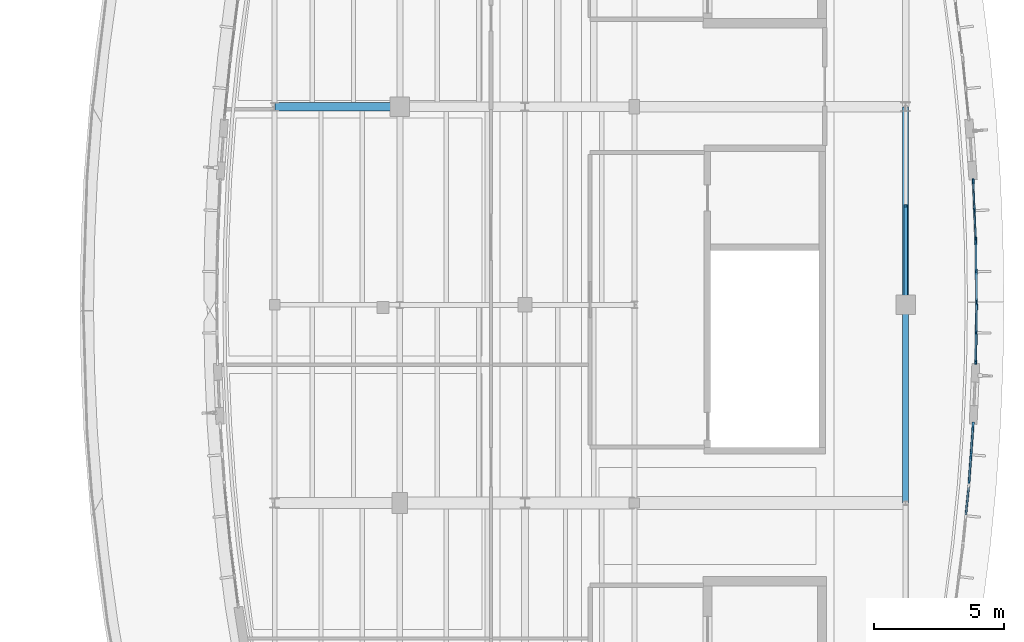
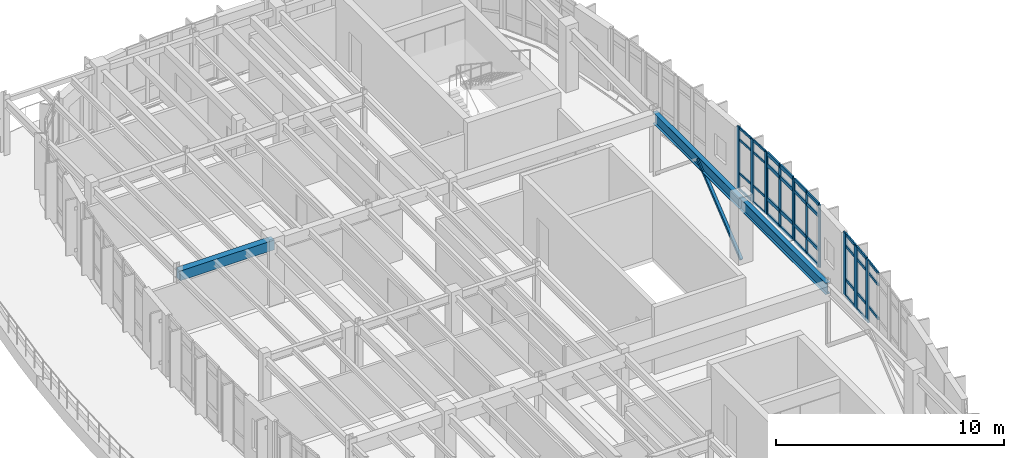
# One storey, part 11 of 30: 48 members, 3 beams, 5 elements without a shape of their own.
"""IFC4 building model written with IfcOpenShell, lengths in metres."""

from ifc_helpers import new_model, si_unit, direction, frame, origin, origin_2d, place, context, subcontext, project, spatial, rectangle, hollow_rectangle, i_section, extrude, material, material_profile, profile_set, type_object, element, aggregate, save


model = new_model("IFC4")

# Units and contexts
model_context = context("Model", 3, precision=1e-05, world=origin(), true_north=direction((0.0, 1.0)))
body_context = subcontext(model_context, "Body", "Model", "MODEL_VIEW")
ifc_project = project(units=[si_unit("LENGTHUNIT", "METRE"), si_unit("AREAUNIT", "SQUARE_METRE"), si_unit("VOLUMEUNIT", "CUBIC_METRE"), si_unit("PLANEANGLEUNIT", "RADIAN"), si_unit("MASSUNIT", "GRAM", prefix="KILO")], contexts=[model_context])

# Site, building, storey
site_placement = place(None, origin())
site = spatial("IfcSite", under=ifc_project, at=site_placement, CompositionType="ELEMENT")
building_placement = place(site_placement, origin())
building = spatial("IfcBuilding", under=site, at=building_placement, Name="Corveleigh Park Community Centre", CompositionType="ELEMENT")
storey_placement = place(building_placement, frame((0.0, 0.0, 12.60009765625)))
storey = spatial("IfcBuildingStorey", under=building, at=storey_placement, Name="L03", CompositionType="ELEMENT", Elevation=12.60009765625)

# Beams
ifc_material_1 = material(Name="Concrete C40/50", Category="concrete")
ifc_material_profile_1 = material_profile(ifc_material_1, rectangle(XDim=0.324951171875, YDim=0.52490234375, at=origin_2d()), Name="RC-325x525", Category="concrete")
ifc_profile_set_1 = profile_set([ifc_material_profile_1], Name="Concrete C40/50")
beam_type_1 = type_object("IfcBeamType", Name="BM-RC-325x525", PredefinedType="BEAM", material=ifc_profile_set_1)
beam_1_placement = place(storey_placement, frame((144.205078125, 89.0, 3.074462890625), z_axis=(1.0, 0.0, 0.0), x_axis=(0.0, 1.0, 0.0)))
element("IfcBeam", 1, at=beam_1_placement, inside=storey, type_object=beam_type_1, Name="V4 Girder X", PredefinedType="BEAM", context=body_context, shape_type="SweptSolid", body=[
    extrude(rectangle(XDim=0.324951171875, YDim=0.52490234375, at=origin_2d()), origin(), (0.0, 0.0, 1.0), 4.7900390625),
])
ifc_material_2 = material(Name="Steel S355", Category="steel")
ifc_material_profile_2 = material_profile(ifc_material_2, i_section(OverallWidth=0.228271484375, OverallDepth=0.607666015625, WebThickness=0.010986328125, FlangeThickness=0.017333984375, at=origin_2d()), Name="UKB 610x229x113", Category="steel")
ifc_profile_set_2 = profile_set([ifc_material_profile_2], Name="Steel S355")
beam_type_2 = type_object("IfcBeamType", Name="BM-STL-UKB610x113", PredefinedType="BEAM", material=ifc_profile_set_2)
beam_2_placement = place(storey_placement, frame((168.39990234375, 73.804931640625, 3.05322265625), z_axis=(0.0, 1.0, 0.0), x_axis=(-1.0, 0.0, 0.0)))
element("IfcBeam", 2, at=beam_2_placement, inside=storey, type_object=beam_type_2, Name="V4 Girder Y", PredefinedType="BEAM", context=body_context, shape_type="SweptSolid", body=[
    extrude(i_section(OverallWidth=0.228271484375, OverallDepth=0.607666015625, WebThickness=0.010986328125, FlangeThickness=0.017333984375, at=origin_2d()), origin(), (0.0, 0.0, 1.0), 7.590087890625),
])
ifc_material_profile_3 = material_profile(ifc_material_2, i_section(OverallWidth=0.22900390625, OverallDepth=0.6123046875, WebThickness=0.011962890625, FlangeThickness=0.01953125, at=origin_2d()), Name="UKB 610x229x125", Category="steel")
ifc_profile_set_3 = profile_set([ifc_material_profile_3], Name="Steel S355")
beam_type_3 = type_object("IfcBeamType", Name="BM-STL-UKB610x125", PredefinedType="BEAM", material=ifc_profile_set_3)
beam_3_placement = place(storey_placement, frame((168.39990234375, 81.405029296875, 3.05078125), z_axis=(0.0, 1.0, 0.0), x_axis=(-1.0, 0.0, 0.0)))
element("IfcBeam", 3, at=beam_3_placement, inside=storey, type_object=beam_type_3, Name="V4 Girder Y", PredefinedType="BEAM", context=body_context, shape_type="SweptSolid", body=[
    extrude(i_section(OverallWidth=0.22900390625, OverallDepth=0.6123046875, WebThickness=0.011962890625, FlangeThickness=0.01953125, at=origin_2d()), origin(), (0.0, 0.0, 1.0), 7.590087890625),
])

# Curtain wall, members
ifc_material_3 = material(Name="Anodised aluminium 6063-T6", Category="aluminium")
curtain_wall_type = type_object("IfcCurtainWallType", Name="CW-SYS-V4-L03", PredefinedType="NOTDEFINED", material=ifc_material_3)
curtain_wall_1_placement = place(storey_placement, origin())
curtain_wall_1 = element("IfcCurtainWall", 4, at=curtain_wall_1_placement, inside=storey, type_object=curtain_wall_type, Name="V4 L03 Curtain Wall 409", PredefinedType="NOTDEFINED")
ifc_material_profile_4 = material_profile(ifc_material_3, rectangle(XDim=0.06005859375, YDim=0.159912109375, at=origin_2d()), Name="ALU-M60x160", Category="aluminium")
ifc_profile_set_4 = profile_set([ifc_material_profile_4], Name="Anodised aluminium 6063-T6")
member_type_1 = type_object("IfcMemberType", Name="CWM-60x160", PredefinedType="MULLION", material=ifc_profile_set_4)
member_1_placement = place(storey_placement, frame((171.12451171875, 81.4609375, 0.0), z_axis=(0.0, 0.0, 1.0), x_axis=(0.999899373375, -0.014186018617, 0.0)))
member_1 = element("IfcMember", 5, at=member_1_placement, type_object=member_type_1, Name="CW09 mullion 1", PredefinedType="MULLION", context=body_context, shape_type="SweptSolid", body=[
    extrude(rectangle(XDim=0.06005859375, YDim=0.159912109375, at=origin_2d()), origin(), (0.0, 0.0, 1.0), 3.35693359375),
])
member_2_placement = place(storey_placement, frame((171.1083984375, 80.327880859375, 0.0), z_axis=(0.0, 0.0, 1.0), x_axis=(0.999899373375, -0.014186018617, 0.0)))
member_2 = element("IfcMember", 6, at=member_2_placement, type_object=member_type_1, Name="CW09 mullion 2", PredefinedType="MULLION", context=body_context, shape_type="SweptSolid", body=[
    extrude(rectangle(XDim=0.06005859375, YDim=0.159912109375, at=origin_2d()), origin(), (0.0, 0.0, 1.0), 3.35693359375),
])
member_3_placement = place(storey_placement, frame((171.092529296875, 79.195068359375, 0.0), z_axis=(0.0, 0.0, 1.0), x_axis=(0.999899373375, -0.014186018617, 0.0)))
member_3 = element("IfcMember", 7, at=member_3_placement, type_object=member_type_1, Name="CW09 mullion 3", PredefinedType="MULLION", context=body_context, shape_type="SweptSolid", body=[
    extrude(rectangle(XDim=0.06005859375, YDim=0.159912109375, at=origin_2d()), origin(), (0.0, 0.0, 1.0), 3.35693359375),
])

curtain_wall_2_placement = place(storey_placement, origin())
curtain_wall_2 = element("IfcCurtainWall", 8, at=curtain_wall_2_placement, inside=storey, type_object=curtain_wall_type, Name="V4 L03 Curtain Wall 410", PredefinedType="NOTDEFINED")
ifc_material_profile_5 = material_profile(ifc_material_3, rectangle(XDim=0.06494140625, YDim=0.179931640625, at=origin_2d()), Name="ALU-M65x180", Category="aluminium")
ifc_profile_set_5 = profile_set([ifc_material_profile_5], Name="Anodised aluminium 6063-T6")
member_type_2 = type_object("IfcMemberType", Name="CWM-65x180", PredefinedType="MULLION", material=ifc_profile_set_5)
member_4_placement = place(storey_placement, frame((171.092529296875, 83.802490234375, 0.0), z_axis=(0.0, 0.0, 1.0), x_axis=(0.999899373375, 0.014186018617, 0.0)))
member_4 = element("IfcMember", 9, at=member_4_placement, type_object=member_type_2, Name="CW09 mullion 1", PredefinedType="MULLION", context=body_context, shape_type="SweptSolid", body=[
    extrude(rectangle(XDim=0.06494140625, YDim=0.179931640625, at=origin_2d()), origin(), (0.0, 0.0, 1.0), 3.35693359375),
])
member_5_placement = place(storey_placement, frame((171.1083984375, 82.672119140625, 0.0), z_axis=(0.0, 0.0, 1.0), x_axis=(0.999899373375, 0.014186018617, 0.0)))
member_5 = element("IfcMember", 10, at=member_5_placement, type_object=member_type_2, Name="CW09 mullion 2", PredefinedType="MULLION", context=body_context, shape_type="SweptSolid", body=[
    extrude(rectangle(XDim=0.06494140625, YDim=0.179931640625, at=origin_2d()), origin(), (0.0, 0.0, 1.0), 3.35693359375),
])
member_6_placement = place(storey_placement, frame((171.12451171875, 81.54150390625, 0.0), z_axis=(0.0, 0.0, 1.0), x_axis=(0.999899373375, 0.014186018617, 0.0)))
member_6 = element("IfcMember", 11, at=member_6_placement, type_object=member_type_2, Name="CW09 mullion 3", PredefinedType="MULLION", context=body_context, shape_type="SweptSolid", body=[
    extrude(rectangle(XDim=0.06494140625, YDim=0.179931640625, at=origin_2d()), origin(), (0.0, 0.0, 1.0), 3.35693359375),
])

curtain_wall_3_placement = place(storey_placement, origin())
curtain_wall_3 = element("IfcCurtainWall", 12, at=curtain_wall_3_placement, inside=storey, type_object=curtain_wall_type, Name="V4 L03 Curtain Wall 411", PredefinedType="NOTDEFINED")
ifc_material_profile_6 = material_profile(ifc_material_3, rectangle(XDim=0.070068359375, YDim=0.199951171875, at=origin_2d()), Name="ALU-M70x200", Category="aluminium")
ifc_profile_set_6 = profile_set([ifc_material_profile_6], Name="Anodised aluminium 6063-T6")
member_type_3 = type_object("IfcMemberType", Name="CWM-70x200", PredefinedType="MULLION", material=ifc_profile_set_6)
member_7_placement = place(storey_placement, frame((170.993408203125, 86.14111328125, 0.0), z_axis=(0.0, 0.0, 1.0), x_axis=(0.999074729961, 0.043007952221, 0.0)))
member_7 = element("IfcMember", 13, at=member_7_placement, type_object=member_type_3, Name="CW09 mullion 1", PredefinedType="MULLION", context=body_context, shape_type="SweptSolid", body=[
    extrude(rectangle(XDim=0.070068359375, YDim=0.199951171875, at=origin_2d()), origin(), (0.0, 0.0, 1.0), 3.35693359375),
])
member_8_placement = place(storey_placement, frame((171.0419921875, 85.014404296875, 0.0), z_axis=(0.0, 0.0, 1.0), x_axis=(0.999074729961, 0.043007952221, 0.0)))
member_8 = element("IfcMember", 14, at=member_8_placement, type_object=member_type_3, Name="CW09 mullion 2", PredefinedType="MULLION", context=body_context, shape_type="SweptSolid", body=[
    extrude(rectangle(XDim=0.070068359375, YDim=0.199951171875, at=origin_2d()), origin(), (0.0, 0.0, 1.0), 3.35693359375),
])
member_9_placement = place(storey_placement, frame((171.090576171875, 83.887939453125, 0.0), z_axis=(0.0, 0.0, 1.0), x_axis=(0.999074729961, 0.043007952221, 0.0)))
member_9 = element("IfcMember", 15, at=member_9_placement, type_object=member_type_3, Name="CW09 mullion 3", PredefinedType="MULLION", context=body_context, shape_type="SweptSolid", body=[
    extrude(rectangle(XDim=0.070068359375, YDim=0.199951171875, at=origin_2d()), origin(), (0.0, 0.0, 1.0), 3.35693359375),
])

curtain_wall_4_placement = place(storey_placement, origin())
curtain_wall_4 = element("IfcCurtainWall", 16, at=curtain_wall_4_placement, inside=storey, type_object=curtain_wall_type, Name="V4 L03 Curtain Wall 408", PredefinedType="NOTDEFINED")
ifc_material_profile_7 = material_profile(ifc_material_3, rectangle(XDim=0.0849609375, YDim=0.27490234375, at=origin_2d()), Name="ALU-M85x275", Category="aluminium")
ifc_profile_set_7 = profile_set([ifc_material_profile_7], Name="Anodised aluminium 6063-T6")
member_type_4 = type_object("IfcMemberType", Name="CWM-85x275", PredefinedType="MULLION", material=ifc_profile_set_7)
member_10_placement = place(storey_placement, frame((170.988037109375, 76.763671875, 0.0), z_axis=(0.0, 0.0, 1.0), x_axis=(0.997510811359, -0.070513695282, 0.0)))
member_10 = element("IfcMember", 17, at=member_10_placement, type_object=member_type_4, Name="CW09 mullion 1", PredefinedType="MULLION", context=body_context, shape_type="SweptSolid", body=[
    extrude(rectangle(XDim=0.0849609375, YDim=0.27490234375, at=origin_2d()), origin(), (0.0, 0.0, 1.0), 3.35693359375),
])
member_11_placement = place(storey_placement, frame((170.908935546875, 75.64599609375, 0.0), z_axis=(0.0, 0.0, 1.0), x_axis=(0.997510811359, -0.070513695282, 0.0)))
member_11 = element("IfcMember", 18, at=member_11_placement, type_object=member_type_4, Name="CW09 mullion 2", PredefinedType="MULLION", context=body_context, shape_type="SweptSolid", body=[
    extrude(rectangle(XDim=0.0849609375, YDim=0.27490234375, at=origin_2d()), origin(), (0.0, 0.0, 1.0), 3.35693359375),
])
member_12_placement = place(storey_placement, frame((170.830078125, 74.5283203125, 0.0), z_axis=(0.0, 0.0, 1.0), x_axis=(0.997510811359, -0.070513695282, 0.0)))
member_12 = element("IfcMember", 19, at=member_12_placement, type_object=member_type_4, Name="CW09 mullion 3", PredefinedType="MULLION", context=body_context, shape_type="SweptSolid", body=[
    extrude(rectangle(XDim=0.0849609375, YDim=0.27490234375, at=origin_2d()), origin(), (0.0, 0.0, 1.0), 3.35693359375),
])

# Member
ifc_material_profile_8 = material_profile(ifc_material_3, rectangle(XDim=0.06005859375, YDim=0.1201171875, at=origin_2d()), Name="ALU-T60x120", Category="aluminium")
ifc_profile_set_8 = profile_set([ifc_material_profile_8], Name="Anodised aluminium 6063-T6")
member_type_5 = type_object("IfcMemberType", Name="CWT-60x120", PredefinedType="USERDEFINED", material=ifc_profile_set_8)
member_13_placement = place(storey_placement, frame((170.9951171875, 86.10595703125, 0.02978515625), z_axis=(0.042946243013, -0.999077384496, 0.0), x_axis=(0.999077384496, 0.042946243013, 0.0)))
member_13 = element("IfcMember", 20, at=member_13_placement, type_object=member_type_5, Name="CW09 transom 1.1", ObjectType="TRANSOM", PredefinedType="USERDEFINED", context=body_context, shape_type="SweptSolid", body=[
    extrude(rectangle(XDim=0.06005859375, YDim=0.1201171875, at=origin_2d()), origin(), (0.0, 0.0, 1.0), 1.057373046875),
])

member_14_placement = place(storey_placement, frame((170.9951171875, 86.10595703125, 0.89990234375), z_axis=(0.042946243013, -0.999077384496, 0.0), x_axis=(0.999077384496, 0.042946243013, 0.0)))
member_14 = element("IfcMember", 21, at=member_14_placement, type_object=member_type_5, Name="CW09 transom 1.2", ObjectType="TRANSOM", PredefinedType="USERDEFINED", context=body_context, shape_type="SweptSolid", body=[
    extrude(rectangle(XDim=0.06005859375, YDim=0.1201171875, at=origin_2d()), origin(), (0.0, 0.0, 1.0), 1.057373046875),
])

member_15_placement = place(storey_placement, frame((170.9951171875, 86.10595703125, 2.706787109375), z_axis=(0.042946243013, -0.999077384496, 0.0), x_axis=(0.999077384496, 0.042946243013, 0.0)))
member_15 = element("IfcMember", 22, at=member_15_placement, type_object=member_type_5, Name="CW09 transom 1.3", ObjectType="TRANSOM", PredefinedType="USERDEFINED", context=body_context, shape_type="SweptSolid", body=[
    extrude(rectangle(XDim=0.06005859375, YDim=0.1201171875, at=origin_2d()), origin(), (0.0, 0.0, 1.0), 1.057373046875),
])

member_16_placement = place(storey_placement, frame((170.9951171875, 86.10595703125, 3.326904296875), z_axis=(0.042946243013, -0.999077384496, 0.0), x_axis=(0.999077384496, 0.042946243013, 0.0)))
member_16 = element("IfcMember", 23, at=member_16_placement, type_object=member_type_5, Name="CW09 transom 1.4", ObjectType="TRANSOM", PredefinedType="USERDEFINED", context=body_context, shape_type="SweptSolid", body=[
    extrude(rectangle(XDim=0.06005859375, YDim=0.1201171875, at=origin_2d()), origin(), (0.0, 0.0, 1.0), 1.057373046875),
])

member_17_placement = place(storey_placement, frame((171.04345703125, 84.9794921875, 0.02978515625), z_axis=(0.04316674996, -0.999067881426, 0.0), x_axis=(0.999067881426, 0.04316674996, 0.0)))
member_17 = element("IfcMember", 24, at=member_17_placement, type_object=member_type_5, Name="CW09 transom 2.1", ObjectType="TRANSOM", PredefinedType="USERDEFINED", context=body_context, shape_type="SweptSolid", body=[
    extrude(rectangle(XDim=0.06005859375, YDim=0.1201171875, at=origin_2d()), origin(), (0.0, 0.0, 1.0), 1.0576171875),
])

member_18_placement = place(storey_placement, frame((171.04345703125, 84.9794921875, 0.89990234375), z_axis=(0.04316674996, -0.999067881426, 0.0), x_axis=(0.999067881426, 0.04316674996, 0.0)))
member_18 = element("IfcMember", 25, at=member_18_placement, type_object=member_type_5, Name="CW09 transom 2.2", ObjectType="TRANSOM", PredefinedType="USERDEFINED", context=body_context, shape_type="SweptSolid", body=[
    extrude(rectangle(XDim=0.06005859375, YDim=0.1201171875, at=origin_2d()), origin(), (0.0, 0.0, 1.0), 1.0576171875),
])

member_19_placement = place(storey_placement, frame((171.04345703125, 84.9794921875, 2.706787109375), z_axis=(0.04316674996, -0.999067881426, 0.0), x_axis=(0.999067881426, 0.04316674996, 0.0)))
member_19 = element("IfcMember", 26, at=member_19_placement, type_object=member_type_5, Name="CW09 transom 2.3", ObjectType="TRANSOM", PredefinedType="USERDEFINED", context=body_context, shape_type="SweptSolid", body=[
    extrude(rectangle(XDim=0.06005859375, YDim=0.1201171875, at=origin_2d()), origin(), (0.0, 0.0, 1.0), 1.0576171875),
])

member_20_placement = place(storey_placement, frame((171.04345703125, 84.9794921875, 3.326904296875), z_axis=(0.04316674996, -0.999067881426, 0.0), x_axis=(0.999067881426, 0.04316674996, 0.0)))
member_20 = element("IfcMember", 27, at=member_20_placement, type_object=member_type_5, Name="CW09 transom 2.4", ObjectType="TRANSOM", PredefinedType="USERDEFINED", context=body_context, shape_type="SweptSolid", body=[
    extrude(rectangle(XDim=0.06005859375, YDim=0.1201171875, at=origin_2d()), origin(), (0.0, 0.0, 1.0), 1.0576171875),
])

aggregate(curtain_wall_3, [member_7, member_8, member_9, member_13, member_14, member_15, member_16, member_17, member_18, member_19, member_20])

# Curtain wall, members
curtain_wall_5_placement = place(storey_placement, origin())
curtain_wall_5 = element("IfcCurtainWall", 28, at=curtain_wall_5_placement, inside=storey, type_object=curtain_wall_type, Name="V4 L03 Curtain Wall 407", PredefinedType="NOTDEFINED")
ifc_material_profile_9 = material_profile(ifc_material_3, rectangle(XDim=0.06494140625, YDim=0.139892578125, at=origin_2d()), Name="ALU-T65x140", Category="aluminium")
ifc_profile_set_9 = profile_set([ifc_material_profile_9], Name="Anodised aluminium 6063-T6")
member_type_6 = type_object("IfcMemberType", Name="CWT-65x140", PredefinedType="USERDEFINED", material=ifc_profile_set_9)
member_21_placement = place(storey_placement, frame((170.817138671875, 74.388427734375, 0.89990234375), z_axis=(-0.099457378841, -0.995041823138, 0.0), x_axis=(0.995041823138, -0.099457378841, 0.0)))
member_21 = element("IfcMember", 29, at=member_21_placement, type_object=member_type_6, Name="CW09 transom 1.2", ObjectType="TRANSOM", PredefinedType="USERDEFINED", context=body_context, shape_type="SweptSolid", body=[
    extrude(rectangle(XDim=0.06494140625, YDim=0.139892578125, at=origin_2d()), origin(), (0.0, 0.0, 1.0), 1.043212890625),
])
member_22_placement = place(storey_placement, frame((170.817138671875, 74.388427734375, 2.706787109375), z_axis=(-0.099457378841, -0.995041823138, 0.0), x_axis=(0.995041823138, -0.099457378841, 0.0)))
member_22 = element("IfcMember", 30, at=member_22_placement, type_object=member_type_6, Name="CW09 transom 1.3", ObjectType="TRANSOM", PredefinedType="USERDEFINED", context=body_context, shape_type="SweptSolid", body=[
    extrude(rectangle(XDim=0.06494140625, YDim=0.139892578125, at=origin_2d()), origin(), (0.0, 0.0, 1.0), 1.043212890625),
])
member_23_placement = place(storey_placement, frame((170.817138671875, 74.388427734375, 3.324462890625), z_axis=(-0.099457378841, -0.995041823138, 0.0), x_axis=(0.995041823138, -0.099457378841, 0.0)))
member_23 = element("IfcMember", 31, at=member_23_placement, type_object=member_type_6, Name="CW09 transom 1.4", ObjectType="TRANSOM", PredefinedType="USERDEFINED", context=body_context, shape_type="SweptSolid", body=[
    extrude(rectangle(XDim=0.06494140625, YDim=0.139892578125, at=origin_2d()), origin(), (0.0, 0.0, 1.0), 1.043212890625),
])
aggregate(curtain_wall_5, [member_21, member_22, member_23])

# Member
ifc_material_profile_10 = material_profile(ifc_material_3, rectangle(XDim=0.070068359375, YDim=0.155029296875, at=origin_2d()), Name="ALU-T70x155", Category="aluminium")
ifc_profile_set_10 = profile_set([ifc_material_profile_10], Name="Anodised aluminium 6063-T6")
member_type_7 = type_object("IfcMemberType", Name="CWT-70x155", PredefinedType="USERDEFINED", material=ifc_profile_set_10)
member_24_placement = place(storey_placement, frame((170.985107421875, 76.72119140625, 0.034912109375), z_axis=(-0.07050964967, -0.997511097333, 0.0), x_axis=(0.997511097333, -0.07050964967, 0.0)))
member_24 = element("IfcMember", 32, at=member_24_placement, type_object=member_type_7, Name="CW09 transom 1.1", ObjectType="TRANSOM", PredefinedType="USERDEFINED", context=body_context, shape_type="SweptSolid", body=[
    extrude(rectangle(XDim=0.070068359375, YDim=0.155029296875, at=origin_2d()), origin(), (0.0, 0.0, 1.0), 1.035400390625),
])

member_25_placement = place(storey_placement, frame((170.985107421875, 76.72119140625, 0.89990234375), z_axis=(-0.07050964967, -0.997511097333, 0.0), x_axis=(0.997511097333, -0.07050964967, 0.0)))
member_25 = element("IfcMember", 33, at=member_25_placement, type_object=member_type_7, Name="CW09 transom 1.2", ObjectType="TRANSOM", PredefinedType="USERDEFINED", context=body_context, shape_type="SweptSolid", body=[
    extrude(rectangle(XDim=0.070068359375, YDim=0.155029296875, at=origin_2d()), origin(), (0.0, 0.0, 1.0), 1.035400390625),
])

member_26_placement = place(storey_placement, frame((170.985107421875, 76.72119140625, 2.706787109375), z_axis=(-0.07050964967, -0.997511097333, 0.0), x_axis=(0.997511097333, -0.07050964967, 0.0)))
member_26 = element("IfcMember", 34, at=member_26_placement, type_object=member_type_7, Name="CW09 transom 1.3", ObjectType="TRANSOM", PredefinedType="USERDEFINED", context=body_context, shape_type="SweptSolid", body=[
    extrude(rectangle(XDim=0.070068359375, YDim=0.155029296875, at=origin_2d()), origin(), (0.0, 0.0, 1.0), 1.035400390625),
])

member_27_placement = place(storey_placement, frame((170.985107421875, 76.72119140625, 3.322021484375), z_axis=(-0.07050964967, -0.997511097333, 0.0), x_axis=(0.997511097333, -0.07050964967, 0.0)))
member_27 = element("IfcMember", 35, at=member_27_placement, type_object=member_type_7, Name="CW09 transom 1.4", ObjectType="TRANSOM", PredefinedType="USERDEFINED", context=body_context, shape_type="SweptSolid", body=[
    extrude(rectangle(XDim=0.070068359375, YDim=0.155029296875, at=origin_2d()), origin(), (0.0, 0.0, 1.0), 1.035400390625),
])

member_28_placement = place(storey_placement, frame((170.906005859375, 75.603515625, 0.034912109375), z_axis=(-0.07050964967, -0.997511097333, 0.0), x_axis=(0.997511097333, -0.07050964967, 0.0)))
member_28 = element("IfcMember", 36, at=member_28_placement, type_object=member_type_7, Name="CW09 transom 2.1", ObjectType="TRANSOM", PredefinedType="USERDEFINED", context=body_context, shape_type="SweptSolid", body=[
    extrude(rectangle(XDim=0.070068359375, YDim=0.155029296875, at=origin_2d()), origin(), (0.0, 0.0, 1.0), 1.035400390625),
])

member_29_placement = place(storey_placement, frame((170.906005859375, 75.603515625, 0.89990234375), z_axis=(-0.07050964967, -0.997511097333, 0.0), x_axis=(0.997511097333, -0.07050964967, 0.0)))
member_29 = element("IfcMember", 37, at=member_29_placement, type_object=member_type_7, Name="CW09 transom 2.2", ObjectType="TRANSOM", PredefinedType="USERDEFINED", context=body_context, shape_type="SweptSolid", body=[
    extrude(rectangle(XDim=0.070068359375, YDim=0.155029296875, at=origin_2d()), origin(), (0.0, 0.0, 1.0), 1.035400390625),
])

member_30_placement = place(storey_placement, frame((170.906005859375, 75.603515625, 2.706787109375), z_axis=(-0.07050964967, -0.997511097333, 0.0), x_axis=(0.997511097333, -0.07050964967, 0.0)))
member_30 = element("IfcMember", 38, at=member_30_placement, type_object=member_type_7, Name="CW09 transom 2.3", ObjectType="TRANSOM", PredefinedType="USERDEFINED", context=body_context, shape_type="SweptSolid", body=[
    extrude(rectangle(XDim=0.070068359375, YDim=0.155029296875, at=origin_2d()), origin(), (0.0, 0.0, 1.0), 1.035400390625),
])

member_31_placement = place(storey_placement, frame((170.906005859375, 75.603515625, 3.322021484375), z_axis=(-0.07050964967, -0.997511097333, 0.0), x_axis=(0.997511097333, -0.07050964967, 0.0)))
member_31 = element("IfcMember", 39, at=member_31_placement, type_object=member_type_7, Name="CW09 transom 2.4", ObjectType="TRANSOM", PredefinedType="USERDEFINED", context=body_context, shape_type="SweptSolid", body=[
    extrude(rectangle(XDim=0.070068359375, YDim=0.155029296875, at=origin_2d()), origin(), (0.0, 0.0, 1.0), 1.035400390625),
])

aggregate(curtain_wall_4, [member_10, member_11, member_12, member_24, member_25, member_26, member_27, member_28, member_29, member_30, member_31])

ifc_material_profile_11 = material_profile(ifc_material_3, rectangle(XDim=0.074951171875, YDim=0.175048828125, at=origin_2d()), Name="ALU-T75x175", Category="aluminium")
ifc_profile_set_11 = profile_set([ifc_material_profile_11], Name="Anodised aluminium 6063-T6")
member_type_8 = type_object("IfcMemberType", Name="CWT-75x175", PredefinedType="USERDEFINED", material=ifc_profile_set_11)
member_32_placement = place(storey_placement, frame((171.124267578125, 81.430908203125, 0.037353515625), z_axis=(-0.014332998514, -0.999897277301, 0.0), x_axis=(0.999897277301, -0.014332998514, 0.0)))
member_32 = element("IfcMember", 40, at=member_32_placement, type_object=member_type_8, Name="CW09 transom 1.1", ObjectType="TRANSOM", PredefinedType="USERDEFINED", context=body_context, shape_type="SweptSolid", body=[
    extrude(rectangle(XDim=0.074951171875, YDim=0.175048828125, at=origin_2d()), origin(), (0.0, 0.0, 1.0), 1.072998046875),
])

member_33_placement = place(storey_placement, frame((171.124267578125, 81.430908203125, 0.89990234375), z_axis=(-0.014332998514, -0.999897277301, 0.0), x_axis=(0.999897277301, -0.014332998514, 0.0)))
member_33 = element("IfcMember", 41, at=member_33_placement, type_object=member_type_8, Name="CW09 transom 1.2", ObjectType="TRANSOM", PredefinedType="USERDEFINED", context=body_context, shape_type="SweptSolid", body=[
    extrude(rectangle(XDim=0.074951171875, YDim=0.175048828125, at=origin_2d()), origin(), (0.0, 0.0, 1.0), 1.072998046875),
])

member_34_placement = place(storey_placement, frame((171.124267578125, 81.430908203125, 2.706787109375), z_axis=(-0.014332998514, -0.999897277301, 0.0), x_axis=(0.999897277301, -0.014332998514, 0.0)))
member_34 = element("IfcMember", 42, at=member_34_placement, type_object=member_type_8, Name="CW09 transom 1.3", ObjectType="TRANSOM", PredefinedType="USERDEFINED", context=body_context, shape_type="SweptSolid", body=[
    extrude(rectangle(XDim=0.074951171875, YDim=0.175048828125, at=origin_2d()), origin(), (0.0, 0.0, 1.0), 1.072998046875),
])

member_35_placement = place(storey_placement, frame((171.124267578125, 81.430908203125, 3.3193359375), z_axis=(-0.014332998514, -0.999897277301, 0.0), x_axis=(0.999897277301, -0.014332998514, 0.0)))
member_35 = element("IfcMember", 43, at=member_35_placement, type_object=member_type_8, Name="CW09 transom 1.4", ObjectType="TRANSOM", PredefinedType="USERDEFINED", context=body_context, shape_type="SweptSolid", body=[
    extrude(rectangle(XDim=0.074951171875, YDim=0.175048828125, at=origin_2d()), origin(), (0.0, 0.0, 1.0), 1.072998046875),
])

member_36_placement = place(storey_placement, frame((171.108154296875, 80.298095703125, 0.037353515625), z_axis=(-0.014332998514, -0.999897277301, 0.0), x_axis=(0.999897277301, -0.014332998514, 0.0)))
member_36 = element("IfcMember", 44, at=member_36_placement, type_object=member_type_8, Name="CW09 transom 2.1", ObjectType="TRANSOM", PredefinedType="USERDEFINED", context=body_context, shape_type="SweptSolid", body=[
    extrude(rectangle(XDim=0.074951171875, YDim=0.175048828125, at=origin_2d()), origin(), (0.0, 0.0, 1.0), 1.072998046875),
])

member_37_placement = place(storey_placement, frame((171.108154296875, 80.298095703125, 0.89990234375), z_axis=(-0.014332998514, -0.999897277301, 0.0), x_axis=(0.999897277301, -0.014332998514, 0.0)))
member_37 = element("IfcMember", 45, at=member_37_placement, type_object=member_type_8, Name="CW09 transom 2.2", ObjectType="TRANSOM", PredefinedType="USERDEFINED", context=body_context, shape_type="SweptSolid", body=[
    extrude(rectangle(XDim=0.074951171875, YDim=0.175048828125, at=origin_2d()), origin(), (0.0, 0.0, 1.0), 1.072998046875),
])

member_38_placement = place(storey_placement, frame((171.108154296875, 80.298095703125, 2.706787109375), z_axis=(-0.014332998514, -0.999897277301, 0.0), x_axis=(0.999897277301, -0.014332998514, 0.0)))
member_38 = element("IfcMember", 46, at=member_38_placement, type_object=member_type_8, Name="CW09 transom 2.3", ObjectType="TRANSOM", PredefinedType="USERDEFINED", context=body_context, shape_type="SweptSolid", body=[
    extrude(rectangle(XDim=0.074951171875, YDim=0.175048828125, at=origin_2d()), origin(), (0.0, 0.0, 1.0), 1.072998046875),
])

member_39_placement = place(storey_placement, frame((171.108154296875, 80.298095703125, 3.3193359375), z_axis=(-0.014332998514, -0.999897277301, 0.0), x_axis=(0.999897277301, -0.014332998514, 0.0)))
member_39 = element("IfcMember", 47, at=member_39_placement, type_object=member_type_8, Name="CW09 transom 2.4", ObjectType="TRANSOM", PredefinedType="USERDEFINED", context=body_context, shape_type="SweptSolid", body=[
    extrude(rectangle(XDim=0.074951171875, YDim=0.175048828125, at=origin_2d()), origin(), (0.0, 0.0, 1.0), 1.072998046875),
])

aggregate(curtain_wall_1, [member_1, member_2, member_3, member_32, member_33, member_34, member_35, member_36, member_37, member_38, member_39])

ifc_material_profile_12 = material_profile(ifc_material_3, rectangle(XDim=0.080078125, YDim=0.195068359375, at=origin_2d()), Name="ALU-T80x195", Category="aluminium")
ifc_profile_set_12 = profile_set([ifc_material_profile_12], Name="Anodised aluminium 6063-T6")
member_type_9 = type_object("IfcMemberType", Name="CWT-80x195", PredefinedType="USERDEFINED", material=ifc_profile_set_12)
member_40_placement = place(storey_placement, frame((171.093017578125, 83.77001953125, 0.039794921875), z_axis=(0.014205715814, -0.999899093728, 0.0), x_axis=(0.999899093728, 0.014205715814, 0.0)))
member_40 = element("IfcMember", 48, at=member_40_placement, type_object=member_type_9, Name="CW09 transom 1.1", ObjectType="TRANSOM", PredefinedType="USERDEFINED", context=body_context, shape_type="SweptSolid", body=[
    extrude(rectangle(XDim=0.080078125, YDim=0.195068359375, at=origin_2d()), origin(), (0.0, 0.0, 1.0), 1.0654296875),
])

member_41_placement = place(storey_placement, frame((171.093017578125, 83.77001953125, 0.89990234375), z_axis=(0.014205715814, -0.999899093728, 0.0), x_axis=(0.999899093728, 0.014205715814, 0.0)))
member_41 = element("IfcMember", 49, at=member_41_placement, type_object=member_type_9, Name="CW09 transom 1.2", ObjectType="TRANSOM", PredefinedType="USERDEFINED", context=body_context, shape_type="SweptSolid", body=[
    extrude(rectangle(XDim=0.080078125, YDim=0.195068359375, at=origin_2d()), origin(), (0.0, 0.0, 1.0), 1.0654296875),
])

member_42_placement = place(storey_placement, frame((171.093017578125, 83.77001953125, 2.706787109375), z_axis=(0.014205715814, -0.999899093728, 0.0), x_axis=(0.999899093728, 0.014205715814, 0.0)))
member_42 = element("IfcMember", 50, at=member_42_placement, type_object=member_type_9, Name="CW09 transom 1.3", ObjectType="TRANSOM", PredefinedType="USERDEFINED", context=body_context, shape_type="SweptSolid", body=[
    extrude(rectangle(XDim=0.080078125, YDim=0.195068359375, at=origin_2d()), origin(), (0.0, 0.0, 1.0), 1.0654296875),
])

member_43_placement = place(storey_placement, frame((171.093017578125, 83.77001953125, 3.31689453125), z_axis=(0.014205715814, -0.999899093728, 0.0), x_axis=(0.999899093728, 0.014205715814, 0.0)))
member_43 = element("IfcMember", 51, at=member_43_placement, type_object=member_type_9, Name="CW09 transom 1.4", ObjectType="TRANSOM", PredefinedType="USERDEFINED", context=body_context, shape_type="SweptSolid", body=[
    extrude(rectangle(XDim=0.080078125, YDim=0.195068359375, at=origin_2d()), origin(), (0.0, 0.0, 1.0), 1.0654296875),
])

member_44_placement = place(storey_placement, frame((171.10888671875, 82.639404296875, 0.039794921875), z_axis=(0.014205715814, -0.999899093728, 0.0), x_axis=(0.999899093728, 0.014205715814, 0.0)))
member_44 = element("IfcMember", 52, at=member_44_placement, type_object=member_type_9, Name="CW09 transom 2.1", ObjectType="TRANSOM", PredefinedType="USERDEFINED", context=body_context, shape_type="SweptSolid", body=[
    extrude(rectangle(XDim=0.080078125, YDim=0.195068359375, at=origin_2d()), origin(), (0.0, 0.0, 1.0), 1.0654296875),
])

member_45_placement = place(storey_placement, frame((171.10888671875, 82.639404296875, 0.89990234375), z_axis=(0.014205715814, -0.999899093728, 0.0), x_axis=(0.999899093728, 0.014205715814, 0.0)))
member_45 = element("IfcMember", 53, at=member_45_placement, type_object=member_type_9, Name="CW09 transom 2.2", ObjectType="TRANSOM", PredefinedType="USERDEFINED", context=body_context, shape_type="SweptSolid", body=[
    extrude(rectangle(XDim=0.080078125, YDim=0.195068359375, at=origin_2d()), origin(), (0.0, 0.0, 1.0), 1.0654296875),
])

member_46_placement = place(storey_placement, frame((171.10888671875, 82.639404296875, 2.706787109375), z_axis=(0.014205715814, -0.999899093728, 0.0), x_axis=(0.999899093728, 0.014205715814, 0.0)))
member_46 = element("IfcMember", 54, at=member_46_placement, type_object=member_type_9, Name="CW09 transom 2.3", ObjectType="TRANSOM", PredefinedType="USERDEFINED", context=body_context, shape_type="SweptSolid", body=[
    extrude(rectangle(XDim=0.080078125, YDim=0.195068359375, at=origin_2d()), origin(), (0.0, 0.0, 1.0), 1.0654296875),
])

member_47_placement = place(storey_placement, frame((171.10888671875, 82.639404296875, 3.31689453125), z_axis=(0.014205715814, -0.999899093728, 0.0), x_axis=(0.999899093728, 0.014205715814, 0.0)))
member_47 = element("IfcMember", 55, at=member_47_placement, type_object=member_type_9, Name="CW09 transom 2.4", ObjectType="TRANSOM", PredefinedType="USERDEFINED", context=body_context, shape_type="SweptSolid", body=[
    extrude(rectangle(XDim=0.080078125, YDim=0.195068359375, at=origin_2d()), origin(), (0.0, 0.0, 1.0), 1.0654296875),
])

aggregate(curtain_wall_2, [member_4, member_5, member_6, member_40, member_41, member_42, member_43, member_44, member_45, member_46, member_47])

ifc_material_profile_13 = material_profile(ifc_material_2, hollow_rectangle(XDim=0.139892578125, YDim=0.139892578125, WallThickness=0.008056640625, at=origin_2d()), Name="SHS 140x140x8.0", Category="steel")
ifc_profile_set_13 = profile_set([ifc_material_profile_13], Name="Steel S355")
member_type_10 = type_object("IfcMemberType", Name="MEM-BRC-SHS140", PredefinedType="BRACE", material=ifc_profile_set_13)
member_48_placement = place(storey_placement, frame((168.39990234375, 81.39990234375, 0.0), z_axis=(0.0, 0.774176642978, 0.632969608644), x_axis=(-1.0, 0.0, 0.0)))
element("IfcMember", 56, at=member_48_placement, inside=storey, type_object=member_type_10, Name="Spine chevron brace", PredefinedType="BRACE", context=body_context, shape_type="SweptSolid", body=[
    extrude(hollow_rectangle(XDim=0.139892578125, YDim=0.139892578125, WallThickness=0.008056640625, at=origin_2d()), origin(), (0.0, 0.0, 1.0), 4.908447265625),
])

save(model, "model.ifc")
